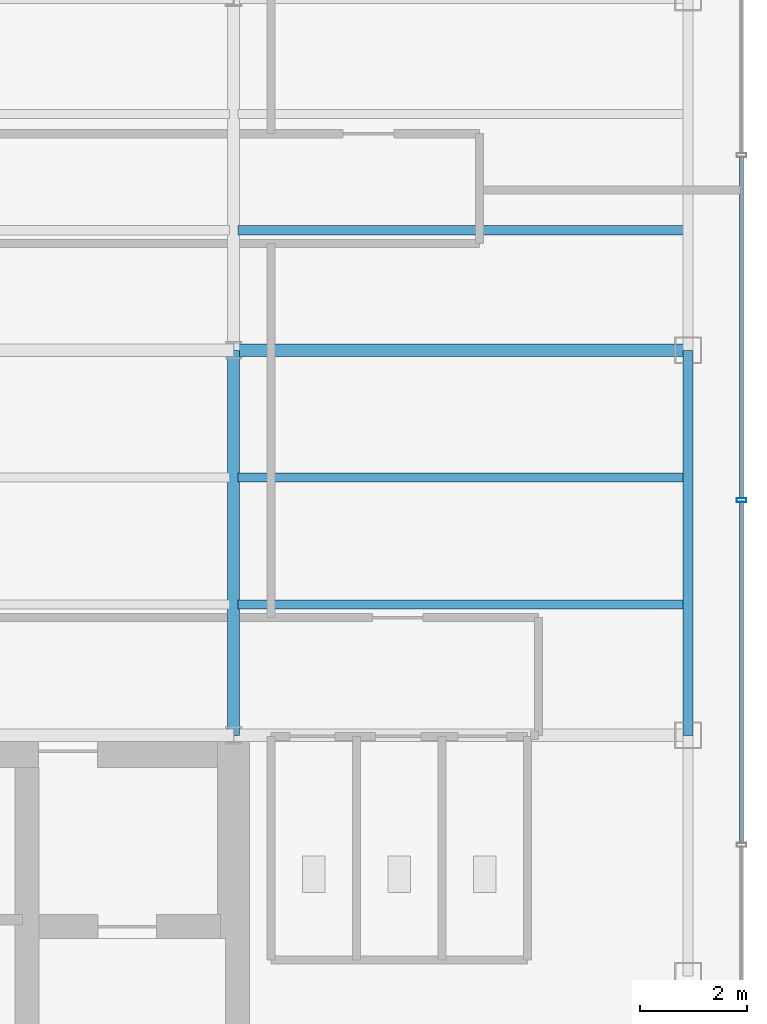
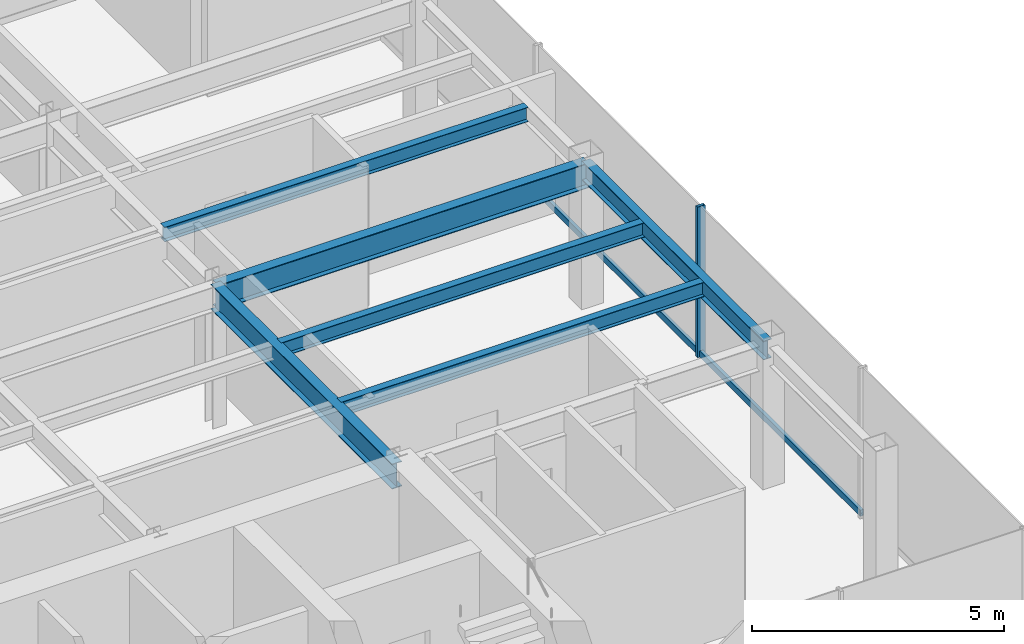
# One storey, part 10 of 22: 6 beams, 3 members, 1 element without a shape of its own.
"""IFC4 building model written with IfcOpenShell, lengths in metres."""

from ifc_helpers import new_model, si_unit, derived_unit, direction, frame, origin, origin_2d, place, context, subcontext, project, spatial, hollow_rectangle, i_section, extrude, source, transform, mapped, material, material_profile, profile_set, type_object, element, aggregate, save


model = new_model("IFC4")

# Units and contexts
model_context = context("Model", 3, precision=1e-05, world=origin(), true_north=direction((0.0, 1.0)))
body_context = subcontext(model_context, "Body", "Model", "MODEL_VIEW")
ifc_project = project(units=[si_unit("LENGTHUNIT", "METRE"), si_unit("AREAUNIT", "SQUARE_METRE"), si_unit("VOLUMEUNIT", "CUBIC_METRE"), si_unit("PLANEANGLEUNIT", "RADIAN"), si_unit("MASSUNIT", "GRAM", prefix="KILO"), derived_unit("THERMALTRANSMITTANCEUNIT", [(si_unit("POWERUNIT", "WATT"), 1), (si_unit("LENGTHUNIT", "METRE"), -2), (si_unit("THERMODYNAMICTEMPERATUREUNIT", "KELVIN"), -1)])], contexts=[model_context])

# Site, building, storey
site_placement = place(None, origin())
site = spatial("IfcSite", under=ifc_project, at=site_placement, CompositionType="ELEMENT")
building_placement = place(site_placement, origin())
building = spatial("IfcBuilding", under=site, at=building_placement, Name="Skarnbrae Concourse Arena and Tower", CompositionType="ELEMENT")
storey_placement = place(building_placement, frame((0.0, 0.0, 210.5)))
storey = spatial("IfcBuildingStorey", under=building, at=storey_placement, Name="L54", CompositionType="ELEMENT", Elevation=210.5)

# Beams
ifc_material_1 = material(Name="Steel CSA G40.21 350W", Category="steel")
ifc_material_profile_1 = material_profile(ifc_material_1, i_section(OverallWidth=0.22802734375, OverallDepth=0.60791015625, WebThickness=0.01123046875, FlangeThickness=0.017333984375, at=origin_2d()), Name="W610X113")
ifc_profile_set_1 = profile_set([ifc_material_profile_1], Name="Steel CSA G40.21 350W")
beam_type_1 = type_object("IfcBeamType", Name="BM-GIRD-W610X113", PredefinedType="BEAM", material=ifc_profile_set_1)
shared_shape_1 = source(origin(), body_context, "Body", "SweptSolid", [
    extrude(i_section(OverallWidth=0.22802734375, OverallDepth=0.60791015625, WebThickness=0.01123046875, FlangeThickness=0.017333984375, at=origin_2d()), origin(), (0.0, 0.0, 1.0), 8.5),
])
beam_1_placement = place(storey_placement, frame((33.5, 21.199951171875, 3.095947265625), z_axis=(1.0, 0.0, 0.0), x_axis=(0.0, 1.0, 0.0)))
element("IfcBeam", 1, at=beam_1_placement, inside=storey, type_object=beam_type_1, Name="L54 Primary E-W girder Y21.2-6", PredefinedType="BEAM", context=body_context, shape_type="MappedRepresentation", body=[
    mapped(shared_shape_1, transform((0.0, 0.0, 0.0))),
])
ifc_material_profile_2 = material_profile(ifc_material_1, i_section(OverallWidth=0.19091796875, OverallDepth=0.4599609375, WebThickness=0.010009765625, FlangeThickness=0.01611328125, at=origin_2d()), Name="W460X82")
ifc_profile_set_2 = profile_set([ifc_material_profile_2], Name="Steel CSA G40.21 350W")
beam_type_2 = type_object("IfcBeamType", Name="BM-SPAN-W460X82", PredefinedType="SPANDREL", material=ifc_profile_set_2)
shared_shape_2 = source(origin(), body_context, "Body", "SweptSolid", [
    extrude(i_section(OverallWidth=0.19091796875, OverallDepth=0.4599609375, WebThickness=0.010009765625, FlangeThickness=0.01611328125, at=origin_2d()), origin(), (0.0, 0.0, 1.0), 7.199951171875),
])
beam_2_placement = place(storey_placement, frame((42.0, 14.0, 3.169921875), z_axis=(0.0, 1.0, 0.0), x_axis=(-1.0, 0.0, 0.0)))
element("IfcBeam", 2, at=beam_2_placement, inside=storey, type_object=beam_type_2, Name="L54 Perimeter spandrel X42.0-2", PredefinedType="SPANDREL", context=body_context, shape_type="MappedRepresentation", body=[
    mapped(shared_shape_2, transform((0.0, 0.0, 0.0))),
])
shared_shape_3 = source(origin(), body_context, "Body", "SweptSolid", [
    extrude(i_section(OverallWidth=0.22802734375, OverallDepth=0.60791015625, WebThickness=0.01123046875, FlangeThickness=0.017333984375, at=origin_2d()), origin(), (0.0, 0.0, 1.0), 7.199951171875),
])
beam_3_placement = place(storey_placement, frame((33.5, 14.0, 3.095947265625), z_axis=(0.0, 1.0, 0.0), x_axis=(-1.0, 0.0, 0.0)))
element("IfcBeam", 3, at=beam_3_placement, inside=storey, type_object=beam_type_1, Name="L54 Primary N-S girder X33.5-1", PredefinedType="BEAM", context=body_context, shape_type="MappedRepresentation", body=[
    mapped(shared_shape_3, transform((0.0, 0.0, 0.0))),
])
ifc_material_profile_3 = material_profile(ifc_material_1, i_section(OverallWidth=0.1708984375, OverallDepth=0.35498046875, WebThickness=0.007080078125, FlangeThickness=0.01171875, at=origin_2d()), Name="W360X51")
ifc_profile_set_3 = profile_set([ifc_material_profile_3], Name="Steel CSA G40.21 350W")
beam_type_3 = type_object("IfcBeamType", Name="BM-JOIST-W360X51", PredefinedType="JOIST", material=ifc_profile_set_3)
shared_shape_4 = source(origin(), body_context, "Body", "SweptSolid", [
    extrude(i_section(OverallWidth=0.1708984375, OverallDepth=0.35498046875, WebThickness=0.007080078125, FlangeThickness=0.01171875, at=origin_2d()), origin(), (0.0, 0.0, 1.0), 8.33984375),
])
for number, where, z_axis, x_axis, name in (
    (4, (33.580078125, 16.447998046875, 3.222412109375), (1.0, 0.0, 0.0), (0.0, 1.0, 0.0), "L54 Secondary floor joist 1.1.6"),
    (5, (33.580078125, 18.823974609375, 3.222412109375), (1.0, 0.0, 0.0), (0.0, 1.0, 0.0), "L54 Secondary floor joist 1.2.6"),
    (6, (33.580078125, 23.444091796875, 3.222412109375), (1.0, 0.0, 0.0), (0.0, 1.0, 0.0), "L54 Secondary floor joist 2.1.6"),
):
    element("IfcBeam", number, at=place(storey_placement, frame(where, z_axis=z_axis, x_axis=x_axis)), inside=storey, type_object=beam_type_3, Name=name, PredefinedType="JOIST", context=body_context, shape_type="MappedRepresentation", body=[
        mapped(shared_shape_4, transform((0.0, 0.0, 0.0))),
    ])

# Curtain wall, members
ifc_material_2 = material(Name="Bronze anodised aluminium 6063-T6", Category="aluminium")
curtain_wall_type = type_object("IfcCurtainWallType", Name="CW-SYS-05-HIGHZONE", PredefinedType="USERDEFINED", material=ifc_material_2)
curtain_wall_placement = place(storey_placement, origin())
curtain_wall = element("IfcCurtainWall", 7, at=curtain_wall_placement, inside=storey, type_object=curtain_wall_type, Name="L54 Unitised curtain wall CW-L54-E04", ObjectType="UNITISED CURTAIN WALL", PredefinedType="USERDEFINED")
ifc_material_profile_4 = material_profile(ifc_material_2, hollow_rectangle(XDim=0.074951171875, YDim=0.179931640625, WallThickness=0.00390625, at=origin_2d()), Name="ALU-MULL-75X180")
ifc_profile_set_4 = profile_set([ifc_material_profile_4], Name="Bronze anodised aluminium 6063-T6")
member_type_1 = type_object("IfcMemberType", Name="CWM-CW-05", PredefinedType="MULLION", material=ifc_profile_set_4)
shared_shape_5 = source(origin(), body_context, "Body", "SweptSolid", [
    extrude(hollow_rectangle(XDim=0.074951171875, YDim=0.179931640625, WallThickness=0.00390625, at=origin_2d()), origin(), (0.0, 0.0, 1.0), 3.64990234375),
])
member_1_placement = place(storey_placement, frame((43.0, 18.39990234375, 0.0), z_axis=(0.0, 0.0, 1.0), x_axis=(0.0, 1.0, 0.0)))
member_1 = element("IfcMember", 8, at=member_1_placement, type_object=member_type_1, Name="CW-L54-E04 Mullion 3", PredefinedType="MULLION", context=body_context, shape_type="MappedRepresentation", body=[
    mapped(shared_shape_5, transform((0.0, 0.0, 0.0))),
])
ifc_material_profile_5 = material_profile(ifc_material_2, hollow_rectangle(XDim=0.074951171875, YDim=0.14990234375, WallThickness=0.00390625, at=origin_2d()), Name="ALU-TRAN-75X150")
ifc_profile_set_5 = profile_set([ifc_material_profile_5], Name="Bronze anodised aluminium 6063-T6")
member_type_2 = type_object("IfcMemberType", Name="CWT-CW-05", PredefinedType="USERDEFINED", material=ifc_profile_set_5)
shared_shape_6 = source(origin(), body_context, "Body", "SweptSolid", [
    extrude(hollow_rectangle(XDim=0.074951171875, YDim=0.14990234375, WallThickness=0.00390625, at=origin_2d()), origin(), (0.0, 0.0, 1.0), 6.375),
])
member_2_placement = place(storey_placement, frame((43.0, 11.987548828125, 0.074951171875), z_axis=(0.0, 1.0, 0.0), x_axis=(-1.0, 0.0, 0.0)))
member_2 = element("IfcMember", 9, at=member_2_placement, type_object=member_type_2, Name="CW-L54-E04 Transom 2", ObjectType="TRANSOM", PredefinedType="USERDEFINED", context=body_context, shape_type="MappedRepresentation", body=[
    mapped(shared_shape_6, transform((0.0, 0.0, 0.0))),
])
member_3_placement = place(storey_placement, frame((43.0, 18.4375, 0.074951171875), z_axis=(0.0, 1.0, 0.0), x_axis=(-1.0, 0.0, 0.0)))
member_3 = element("IfcMember", 10, at=member_3_placement, type_object=member_type_2, Name="CW-L54-E04 Transom 3", ObjectType="TRANSOM", PredefinedType="USERDEFINED", context=body_context, shape_type="MappedRepresentation", body=[
    mapped(shared_shape_6, transform((0.0, 0.0, 0.0))),
])
aggregate(curtain_wall, [member_1, member_2, member_3])

save(model, "model.ifc")
